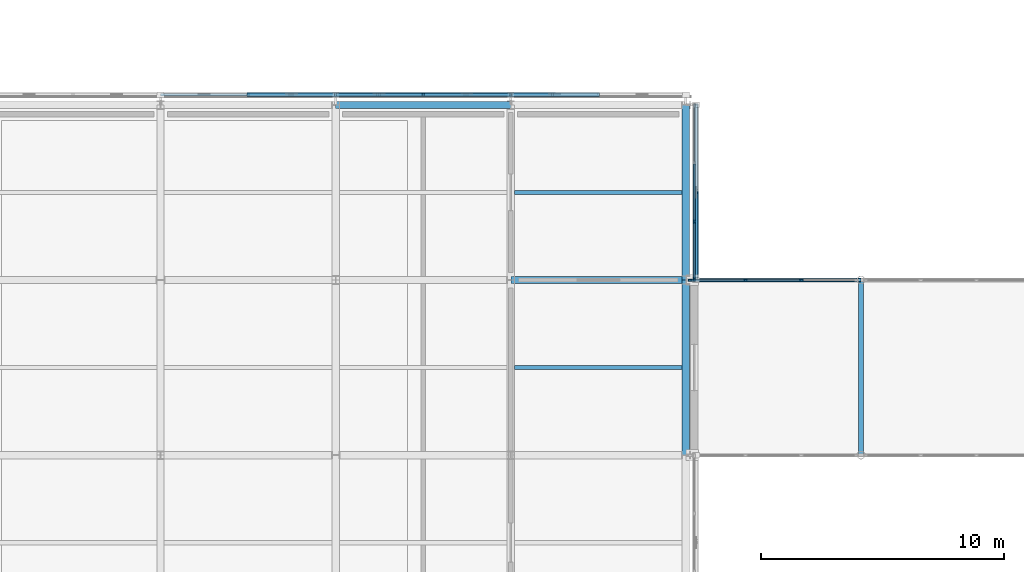
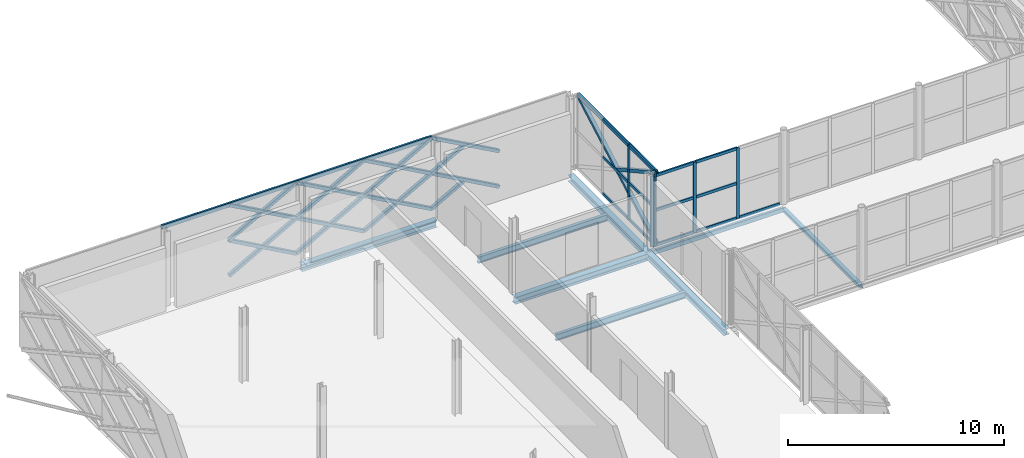
# One storey, part 55 of 146: 45 members, 8 beams, 2 elements without a shape of their own.
"""IFC4 building model written with IfcOpenShell, lengths in metres."""

from ifc_helpers import new_model, si_unit, direction, frame, origin, origin_2d, place, context, subcontext, project, spatial, rectangle, hollow_rectangle, i_section, extrude, material, material_profile, profile_set, type_object, element, aggregate, save


model = new_model("IFC4")

# Units and contexts
model_context = context("Model", 3, precision=1e-05, world=origin(), true_north=direction((0.0, 1.0)))
body_context = subcontext(model_context, "Body", "Model", "MODEL_VIEW")
ifc_project = project(units=[si_unit("LENGTHUNIT", "METRE"), si_unit("AREAUNIT", "SQUARE_METRE"), si_unit("VOLUMEUNIT", "CUBIC_METRE"), si_unit("PLANEANGLEUNIT", "RADIAN"), si_unit("MASSUNIT", "GRAM", prefix="KILO")], contexts=[model_context])

# Site, building, storey
site_placement = place(None, origin())
site = spatial("IfcSite", under=ifc_project, at=site_placement, CompositionType="ELEMENT")
building_placement = place(site_placement, origin())
building = spatial("IfcBuilding", under=site, at=building_placement, Name="Zlatovets Crest Museum", CompositionType="ELEMENT")
storey_placement = place(building_placement, frame((0.0, 0.0, 4.5)))
storey = spatial("IfcBuildingStorey", under=building, at=storey_placement, Name="L01", CompositionType="ELEMENT", Elevation=4.5)

# Beams
ifc_material_1 = material(Name="Structural steel S355J2", Category="steel")
ifc_material_profile_1 = material_profile(ifc_material_1, i_section(OverallWidth=0.300048828125, OverallDepth=0.389892578125, WebThickness=0.010986328125, FlangeThickness=0.01904296875, FilletRadius=0.027099609375, at=origin_2d()), Name="HEA 400")
ifc_profile_set_1 = profile_set([ifc_material_profile_1], Name="Structural steel S355J2")
beam_type_1 = type_object("IfcBeamType", Name="Beam_B-02", PredefinedType="BEAM", material=ifc_profile_set_1)
for number, where, z_axis, x_axis, name in (
    (1, (28.800048828125, 93.60009765625, -0.4150390625), (1.0, 0.0, 0.0), (0.0, 1.0, 0.0), "V4 L01 Primary Girder B-02"),
    (2, (21.60009765625, 100.800048828125, -0.4150390625), (1.0, 0.0, 0.0), (0.0, 1.0, 0.0), "V4 L01 Primary Girder B-02"),
):
    element("IfcBeam", number, at=place(storey_placement, frame(where, z_axis=z_axis, x_axis=x_axis)), inside=storey, type_object=beam_type_1, Name=name, PredefinedType="BEAM", context=body_context, shape_type="SweptSolid", body=[
        extrude(i_section(OverallWidth=0.300048828125, OverallDepth=0.389892578125, WebThickness=0.010986328125, FlangeThickness=0.01904296875, FilletRadius=0.027099609375, at=origin_2d()), origin(), (0.0, 0.0, 1.0), 7.199951171875),
    ])
ifc_material_profile_2 = material_profile(ifc_material_1, i_section(OverallWidth=0.300048828125, OverallDepth=0.35009765625, WebThickness=0.010009765625, FlangeThickness=0.017578125, FilletRadius=0.027099609375, at=origin_2d()), Name="HEA 360")
ifc_profile_set_2 = profile_set([ifc_material_profile_2], Name="Structural steel S355J2")
beam_type_2 = type_object("IfcBeamType", Name="Beam_B-03", PredefinedType="BEAM", material=ifc_profile_set_2)
beam_1_placement = place(storey_placement, frame((36.0, 86.39990234375, -0.39501953125), z_axis=(0.0, 1.0, 0.0), x_axis=(-1.0, 0.0, 0.0)))
element("IfcBeam", 3, at=beam_1_placement, inside=storey, type_object=beam_type_2, Name="V4 L01 Grid Beam B-03", PredefinedType="BEAM", context=body_context, shape_type="SweptSolid", body=[
    extrude(i_section(OverallWidth=0.300048828125, OverallDepth=0.35009765625, WebThickness=0.010009765625, FlangeThickness=0.017578125, FilletRadius=0.027099609375, at=origin_2d()), origin(), (0.0, 0.0, 1.0), 7.2001953125),
])
beam_2_placement = place(storey_placement, frame((36.0, 93.60009765625, -0.39501953125), z_axis=(0.0, 1.0, 0.0), x_axis=(-1.0, 0.0, 0.0)))
element("IfcBeam", 4, at=beam_2_placement, inside=storey, type_object=beam_type_2, Name="V4 L01 Grid Beam B-03", PredefinedType="BEAM", context=body_context, shape_type="SweptSolid", body=[
    extrude(i_section(OverallWidth=0.300048828125, OverallDepth=0.35009765625, WebThickness=0.010009765625, FlangeThickness=0.017578125, FilletRadius=0.027099609375, at=origin_2d()), origin(), (0.0, 0.0, 1.0), 7.199951171875),
])
ifc_material_profile_3 = material_profile(ifc_material_1, i_section(OverallWidth=0.199951171875, OverallDepth=0.18994140625, WebThickness=0.006591796875, FlangeThickness=0.010009765625, FilletRadius=0.01806640625, at=origin_2d()), Name="HEA 200")
ifc_profile_set_3 = profile_set([ifc_material_profile_3], Name="Structural steel S355J2")
beam_type_3 = type_object("IfcBeamType", Name="Beam_B-15", PredefinedType="BEAM", material=ifc_profile_set_3)
beam_3_placement = place(storey_placement, frame((43.199951171875, 86.39990234375, -0.344970703125), z_axis=(0.0, 1.0, 0.0), x_axis=(-1.0, 0.0, 0.0)))
element("IfcBeam", 5, at=beam_3_placement, inside=storey, type_object=beam_type_3, Name="Northwest Crest Glazed Link Bridge L01 Cross Beam", PredefinedType="BEAM", context=body_context, shape_type="SweptSolid", body=[
    extrude(i_section(OverallWidth=0.199951171875, OverallDepth=0.18994140625, WebThickness=0.006591796875, FlangeThickness=0.010009765625, FilletRadius=0.01806640625, at=origin_2d()), origin(), (0.0, 0.0, 1.0), 7.2001953125),
])
ifc_material_profile_4 = material_profile(ifc_material_1, hollow_rectangle(XDim=0.14990234375, YDim=0.25, WallThickness=0.010009765625, InnerFilletRadius=0.010009765625, OuterFilletRadius=0.02001953125, at=origin_2d()), Name="RHS 150x250x10.0")
ifc_profile_set_4 = profile_set([ifc_material_profile_4], Name="Structural steel S355J2")
beam_type_4 = type_object("IfcBeamType", Name="Beam_BRG-03", PredefinedType="BEAM", material=ifc_profile_set_4)
beam_4_placement = place(storey_placement, frame((36.0, 93.60009765625, -0.344970703125), z_axis=(1.0, 0.0, 0.0), x_axis=(0.0, 1.0, 0.0)))
element("IfcBeam", 6, at=beam_4_placement, inside=storey, type_object=beam_type_4, Name="Northwest Crest Glazed Link Bridge L01 Stringer Beam", PredefinedType="BEAM", context=body_context, shape_type="SweptSolid", body=[
    extrude(hollow_rectangle(XDim=0.14990234375, YDim=0.25, WallThickness=0.010009765625, InnerFilletRadius=0.010009765625, OuterFilletRadius=0.02001953125, at=origin_2d()), origin(), (0.0, 0.0, 1.0), 7.199951171875),
])
ifc_material_profile_5 = material_profile(ifc_material_1, i_section(OverallWidth=0.169921875, OverallDepth=0.360107421875, WebThickness=0.008056640625, FlangeThickness=0.0126953125, FilletRadius=0.01806640625, at=origin_2d()), Name="IPE 360")
ifc_profile_set_5 = profile_set([ifc_material_profile_5], Name="Structural steel S355J2")
beam_type_5 = type_object("IfcBeamType", Name="Beam_J-01", PredefinedType="JOIST", material=ifc_profile_set_5)
for number, where, z_axis, x_axis, name in (
    (7, (28.949951171875, 90.0, -0.39990234375), (1.0, 0.0, 0.0), (0.0, 1.0, 0.0), "V4 L01 Composite Joist J-01"),
    (8, (28.949951171875, 97.199951171875, -0.39990234375), (1.0, 0.0, 0.0), (0.0, 1.0, 0.0), "V4 L01 Composite Joist J-01"),
):
    element("IfcBeam", number, at=place(storey_placement, frame(where, z_axis=z_axis, x_axis=x_axis)), inside=storey, type_object=beam_type_5, Name=name, PredefinedType="JOIST", context=body_context, shape_type="SweptSolid", body=[
        extrude(i_section(OverallWidth=0.169921875, OverallDepth=0.360107421875, WebThickness=0.008056640625, FlangeThickness=0.0126953125, FilletRadius=0.01806640625, at=origin_2d()), origin(), (0.0, 0.0, 1.0), 6.900146484375),
    ])

# Curtain wall, members
ifc_material_2 = material(Name="Bronze-anodised aluminium and low-E triple glass", Category="aluminium")
curtain_wall_type_1 = type_object("IfcCurtainWallType", Name="CW_CW-V4-L01-M2", PredefinedType="NOTDEFINED", material=ifc_material_2)
curtain_wall_1_placement = place(storey_placement, origin())
curtain_wall_1 = element("IfcCurtainWall", 9, at=curtain_wall_1_placement, inside=storey, type_object=curtain_wall_type_1, Name="V4 L01 Secession Foyer Clear Curtain Wall", PredefinedType="NOTDEFINED")
ifc_material_3 = material(Name="Bronze-anodised aluminium EN AW-6060", Category="aluminium")
ifc_material_profile_6 = material_profile(ifc_material_3, rectangle(XDim=0.080078125, YDim=0.159912109375, at=origin_2d()), Name="ALU 80x160")
ifc_profile_set_6 = profile_set([ifc_material_profile_6], Name="Bronze-anodised aluminium EN AW-6060")
member_type_1 = type_object("IfcMemberType", Name="CWMull_M1", PredefinedType="MULLION", material=ifc_profile_set_6)
member_1_placement = place(storey_placement, frame((36.340087890625, 93.6298828125, 0.0), z_axis=(0.0, 0.0, 1.0), x_axis=(-1.0, 0.0, 0.0)))
member_1 = element("IfcMember", 10, at=member_1_placement, type_object=member_type_1, Name="CW-V4-L01-M2 mullion 1", PredefinedType="MULLION", context=body_context, shape_type="SweptSolid", body=[
    extrude(rectangle(XDim=0.080078125, YDim=0.159912109375, at=origin_2d()), origin(), (0.0, 0.0, 1.0), 4.199951171875),
])
member_2_placement = place(storey_placement, frame((36.340087890625, 96.0, 0.0), z_axis=(0.0, 0.0, 1.0), x_axis=(-1.0, 0.0, 0.0)))
member_2 = element("IfcMember", 11, at=member_2_placement, type_object=member_type_1, Name="CW-V4-L01-M2 mullion 2", PredefinedType="MULLION", context=body_context, shape_type="SweptSolid", body=[
    extrude(rectangle(XDim=0.080078125, YDim=0.159912109375, at=origin_2d()), origin(), (0.0, 0.0, 1.0), 4.199951171875),
])

curtain_wall_type_2 = type_object("IfcCurtainWallType", Name="CW_CW-BR3-L01-S69", PredefinedType="NOTDEFINED", material=ifc_material_2)
curtain_wall_2_placement = place(storey_placement, origin())
curtain_wall_2 = element("IfcCurtainWall", 12, at=curtain_wall_2_placement, inside=storey, type_object=curtain_wall_type_2, Name="Northwest Crest Glazed Link Bridge L01 Glazed Bridge Curtain Wall", PredefinedType="NOTDEFINED")
member_3_placement = place(storey_placement, frame((36.179931640625, 93.60009765625, 0.0), z_axis=(0.0, 0.0, 1.0), x_axis=(0.0, 1.0, 0.0)))
member_3 = element("IfcMember", 13, at=member_3_placement, type_object=member_type_1, Name="CW-BR3-L01-S69 mullion 1", PredefinedType="MULLION", context=body_context, shape_type="SweptSolid", body=[
    extrude(rectangle(XDim=0.080078125, YDim=0.159912109375, at=origin_2d()), origin(), (0.0, 0.0, 1.0), 3.97998046875),
])
member_4_placement = place(storey_placement, frame((38.449951171875, 93.60009765625, 0.0), z_axis=(0.0, 0.0, 1.0), x_axis=(0.0, 1.0, 0.0)))
member_4 = element("IfcMember", 14, at=member_4_placement, type_object=member_type_1, Name="CW-BR3-L01-S69 mullion 2", PredefinedType="MULLION", context=body_context, shape_type="SweptSolid", body=[
    extrude(rectangle(XDim=0.080078125, YDim=0.159912109375, at=origin_2d()), origin(), (0.0, 0.0, 1.0), 3.97998046875),
])
member_5_placement = place(storey_placement, frame((40.75, 93.60009765625, 0.0), z_axis=(0.0, 0.0, 1.0), x_axis=(0.0, 1.0, 0.0)))
member_5 = element("IfcMember", 15, at=member_5_placement, type_object=member_type_1, Name="CW-BR3-L01-S69 mullion 3", PredefinedType="MULLION", context=body_context, shape_type="SweptSolid", body=[
    extrude(rectangle(XDim=0.080078125, YDim=0.159912109375, at=origin_2d()), origin(), (0.0, 0.0, 1.0), 3.97998046875),
])

# Member
ifc_material_profile_7 = material_profile(ifc_material_3, rectangle(XDim=0.080078125, YDim=0.159912109375, at=origin_2d()), Name="ALU 80x160")
ifc_profile_set_7 = profile_set([ifc_material_profile_7], Name="Bronze-anodised aluminium EN AW-6060")
member_type_2 = type_object("IfcMemberType", Name="CWTrans_T1", PredefinedType="USERDEFINED", material=ifc_profile_set_7)
member_6_placement = place(storey_placement, frame((36.340087890625, 93.659912109375, 0.030029296875), z_axis=(0.0, 1.0, 0.0), x_axis=(-1.0, 0.0, 0.0)))
member_6 = element("IfcMember", 16, at=member_6_placement, type_object=member_type_2, Name="CW-V4-L01-M2 transom 1.1", ObjectType="TRANSOM", PredefinedType="USERDEFINED", context=body_context, shape_type="SweptSolid", body=[
    extrude(rectangle(XDim=0.080078125, YDim=0.159912109375, at=origin_2d()), origin(), (0.0, 0.0, 1.0), 2.31005859375),
])

member_7_placement = place(storey_placement, frame((36.340087890625, 93.659912109375, 2.10009765625), z_axis=(0.0, 1.0, 0.0), x_axis=(-1.0, 0.0, 0.0)))
member_7 = element("IfcMember", 17, at=member_7_placement, type_object=member_type_2, Name="CW-V4-L01-M2 transom 1.2", ObjectType="TRANSOM", PredefinedType="USERDEFINED", context=body_context, shape_type="SweptSolid", body=[
    extrude(rectangle(XDim=0.080078125, YDim=0.159912109375, at=origin_2d()), origin(), (0.0, 0.0, 1.0), 2.31005859375),
])

member_8_placement = place(storey_placement, frame((36.340087890625, 93.659912109375, 4.169921875), z_axis=(0.0, 1.0, 0.0), x_axis=(-1.0, 0.0, 0.0)))
member_8 = element("IfcMember", 18, at=member_8_placement, type_object=member_type_2, Name="CW-V4-L01-M2 transom 1.3", ObjectType="TRANSOM", PredefinedType="USERDEFINED", context=body_context, shape_type="SweptSolid", body=[
    extrude(rectangle(XDim=0.080078125, YDim=0.159912109375, at=origin_2d()), origin(), (0.0, 0.0, 1.0), 2.31005859375),
])

member_9_placement = place(storey_placement, frame((36.340087890625, 96.030029296875, 0.030029296875), z_axis=(0.0, 1.0, 0.0), x_axis=(-1.0, 0.0, 0.0)))
member_9 = element("IfcMember", 19, at=member_9_placement, type_object=member_type_2, Name="CW-V4-L01-M2 transom 2.1", ObjectType="TRANSOM", PredefinedType="USERDEFINED", context=body_context, shape_type="SweptSolid", body=[
    extrude(rectangle(XDim=0.080078125, YDim=0.159912109375, at=origin_2d()), origin(), (0.0, 0.0, 1.0), 2.340087890625),
])

member_10_placement = place(storey_placement, frame((36.340087890625, 96.030029296875, 2.10009765625), z_axis=(0.0, 1.0, 0.0), x_axis=(-1.0, 0.0, 0.0)))
member_10 = element("IfcMember", 20, at=member_10_placement, type_object=member_type_2, Name="CW-V4-L01-M2 transom 2.2", ObjectType="TRANSOM", PredefinedType="USERDEFINED", context=body_context, shape_type="SweptSolid", body=[
    extrude(rectangle(XDim=0.080078125, YDim=0.159912109375, at=origin_2d()), origin(), (0.0, 0.0, 1.0), 2.340087890625),
])

member_11_placement = place(storey_placement, frame((36.340087890625, 96.030029296875, 4.169921875), z_axis=(0.0, 1.0, 0.0), x_axis=(-1.0, 0.0, 0.0)))
member_11 = element("IfcMember", 21, at=member_11_placement, type_object=member_type_2, Name="CW-V4-L01-M2 transom 2.3", ObjectType="TRANSOM", PredefinedType="USERDEFINED", context=body_context, shape_type="SweptSolid", body=[
    extrude(rectangle(XDim=0.080078125, YDim=0.159912109375, at=origin_2d()), origin(), (0.0, 0.0, 1.0), 2.340087890625),
])

aggregate(curtain_wall_1, [member_1, member_2, member_6, member_7, member_8, member_9, member_10, member_11])

member_12_placement = place(storey_placement, frame((36.2099609375, 93.60009765625, 0.030029296875), z_axis=(1.0, 0.0, 0.0), x_axis=(0.0, 1.0, 0.0)))
member_12 = element("IfcMember", 22, at=member_12_placement, type_object=member_type_2, Name="CW-BR3-L01-S69 transom 1.1", ObjectType="TRANSOM", PredefinedType="USERDEFINED", context=body_context, shape_type="SweptSolid", body=[
    extrude(rectangle(XDim=0.080078125, YDim=0.159912109375, at=origin_2d()), origin(), (0.0, 0.0, 1.0), 2.2099609375),
])

member_13_placement = place(storey_placement, frame((36.2099609375, 93.60009765625, 1.989990234375), z_axis=(1.0, 0.0, 0.0), x_axis=(0.0, 1.0, 0.0)))
member_13 = element("IfcMember", 23, at=member_13_placement, type_object=member_type_2, Name="CW-BR3-L01-S69 transom 1.2", ObjectType="TRANSOM", PredefinedType="USERDEFINED", context=body_context, shape_type="SweptSolid", body=[
    extrude(rectangle(XDim=0.080078125, YDim=0.159912109375, at=origin_2d()), origin(), (0.0, 0.0, 1.0), 2.2099609375),
])

member_14_placement = place(storey_placement, frame((36.2099609375, 93.60009765625, 3.949951171875), z_axis=(1.0, 0.0, 0.0), x_axis=(0.0, 1.0, 0.0)))
member_14 = element("IfcMember", 24, at=member_14_placement, type_object=member_type_2, Name="CW-BR3-L01-S69 transom 1.3", ObjectType="TRANSOM", PredefinedType="USERDEFINED", context=body_context, shape_type="SweptSolid", body=[
    extrude(rectangle(XDim=0.080078125, YDim=0.159912109375, at=origin_2d()), origin(), (0.0, 0.0, 1.0), 2.2099609375),
])

member_15_placement = place(storey_placement, frame((38.47998046875, 93.60009765625, 0.030029296875), z_axis=(1.0, 0.0, 0.0), x_axis=(0.0, 1.0, 0.0)))
member_15 = element("IfcMember", 25, at=member_15_placement, type_object=member_type_2, Name="CW-BR3-L01-S69 transom 2.1", ObjectType="TRANSOM", PredefinedType="USERDEFINED", context=body_context, shape_type="SweptSolid", body=[
    extrude(rectangle(XDim=0.080078125, YDim=0.159912109375, at=origin_2d()), origin(), (0.0, 0.0, 1.0), 2.239990234375),
])

member_16_placement = place(storey_placement, frame((38.47998046875, 93.60009765625, 1.989990234375), z_axis=(1.0, 0.0, 0.0), x_axis=(0.0, 1.0, 0.0)))
member_16 = element("IfcMember", 26, at=member_16_placement, type_object=member_type_2, Name="CW-BR3-L01-S69 transom 2.2", ObjectType="TRANSOM", PredefinedType="USERDEFINED", context=body_context, shape_type="SweptSolid", body=[
    extrude(rectangle(XDim=0.080078125, YDim=0.159912109375, at=origin_2d()), origin(), (0.0, 0.0, 1.0), 2.239990234375),
])

member_17_placement = place(storey_placement, frame((38.47998046875, 93.60009765625, 3.949951171875), z_axis=(1.0, 0.0, 0.0), x_axis=(0.0, 1.0, 0.0)))
member_17 = element("IfcMember", 27, at=member_17_placement, type_object=member_type_2, Name="CW-BR3-L01-S69 transom 2.3", ObjectType="TRANSOM", PredefinedType="USERDEFINED", context=body_context, shape_type="SweptSolid", body=[
    extrude(rectangle(XDim=0.080078125, YDim=0.159912109375, at=origin_2d()), origin(), (0.0, 0.0, 1.0), 2.239990234375),
])

member_18_placement = place(storey_placement, frame((40.780029296875, 93.60009765625, 0.030029296875), z_axis=(1.0, 0.0, 0.0), x_axis=(0.0, 1.0, 0.0)))
member_18 = element("IfcMember", 28, at=member_18_placement, type_object=member_type_2, Name="CW-BR3-L01-S69 transom 3.1", ObjectType="TRANSOM", PredefinedType="USERDEFINED", context=body_context, shape_type="SweptSolid", body=[
    extrude(rectangle(XDim=0.080078125, YDim=0.159912109375, at=origin_2d()), origin(), (0.0, 0.0, 1.0), 2.2099609375),
])

aggregate(curtain_wall_2, [member_3, member_4, member_5, member_12, member_13, member_14, member_15, member_16, member_17, member_18])

# Members
ifc_material_4 = material(Name="Weathering bronze-steel S355J2W", Category="steel")
ifc_material_profile_8 = material_profile(ifc_material_4, hollow_rectangle(XDim=0.179931640625, YDim=0.179931640625, WallThickness=0.010009765625, InnerFilletRadius=0.010009765625, OuterFilletRadius=0.02001953125, at=origin_2d()), Name="SHS 180x180x10.0")
ifc_profile_set_8 = profile_set([ifc_material_profile_8], Name="Weathering bronze-steel S355J2W")
member_type_3 = type_object("IfcMemberType", Name="Lattice_XL-01", PredefinedType="BRACE", material=ifc_profile_set_8)
member_19_placement = place(storey_placement, frame((32.39990234375, 101.219970703125, 0.10009765625), z_axis=(-0.874148886685, 0.0, 0.485658031857), x_axis=(0.0, -1.0, 0.0)))
element("IfcMember", 29, at=member_19_placement, inside=storey, type_object=member_type_3, Name="Continuous Bronze Lattice Diagonal", PredefinedType="BRACE", context=body_context, shape_type="SweptSolid", body=[
    extrude(hollow_rectangle(XDim=0.179931640625, YDim=0.179931640625, WallThickness=0.010009765625, InnerFilletRadius=0.010009765625, OuterFilletRadius=0.02001953125, at=origin_2d()), origin(), (0.0, 0.0, 1.0), 4.1181640625),
])
member_20_placement = place(storey_placement, frame((30.51708984375, 101.219970703125, 1.053955078125), z_axis=(-0.874169001841, 0.0, -0.485621824284), x_axis=(0.0, -1.0, 0.0)))
element("IfcMember", 30, at=member_20_placement, inside=storey, type_object=member_type_3, Name="Split Crossing Bronze Lattice Diagonal Lower", PredefinedType="BRACE", context=body_context, shape_type="SweptSolid", body=[
    extrude(hollow_rectangle(XDim=0.179931640625, YDim=0.179931640625, WallThickness=0.010009765625, InnerFilletRadius=0.010009765625, OuterFilletRadius=0.02001953125, at=origin_2d()), origin(), (0.0, 0.0, 1.0), 1.964111328125),
])
member_21_placement = place(storey_placement, frame((32.39990234375, 101.219970703125, 2.10009765625), z_axis=(-0.874148886685, 0.0, 0.485658031857), x_axis=(0.0, -1.0, 0.0)))
element("IfcMember", 31, at=member_21_placement, inside=storey, type_object=member_type_3, Name="Continuous Bronze Lattice Diagonal", PredefinedType="BRACE", context=body_context, shape_type="SweptSolid", body=[
    extrude(hollow_rectangle(XDim=0.179931640625, YDim=0.179931640625, WallThickness=0.010009765625, InnerFilletRadius=0.010009765625, OuterFilletRadius=0.02001953125, at=origin_2d()), origin(), (0.0, 0.0, 1.0), 4.1181640625),
])
member_22_placement = place(storey_placement, frame((30.51708984375, 101.219970703125, 3.053955078125), z_axis=(-0.874169001841, 0.0, -0.485621824284), x_axis=(0.0, -1.0, 0.0)))
element("IfcMember", 32, at=member_22_placement, inside=storey, type_object=member_type_3, Name="Split Crossing Bronze Lattice Diagonal Lower", PredefinedType="BRACE", context=body_context, shape_type="SweptSolid", body=[
    extrude(hollow_rectangle(XDim=0.179931640625, YDim=0.179931640625, WallThickness=0.010009765625, InnerFilletRadius=0.010009765625, OuterFilletRadius=0.02001953125, at=origin_2d()), origin(), (0.0, 0.0, 1.0), 1.964111328125),
])
member_23_placement = place(storey_placement, frame((28.800048828125, 101.219970703125, 0.10009765625), z_axis=(-0.874162868644, 0.0, 0.485632864501), x_axis=(0.0, -1.0, 0.0)))
element("IfcMember", 33, at=member_23_placement, inside=storey, type_object=member_type_3, Name="Continuous Bronze Lattice Diagonal", PredefinedType="BRACE", context=body_context, shape_type="SweptSolid", body=[
    extrude(hollow_rectangle(XDim=0.179931640625, YDim=0.179931640625, WallThickness=0.010009765625, InnerFilletRadius=0.010009765625, OuterFilletRadius=0.02001953125, at=origin_2d()), origin(), (0.0, 0.0, 1.0), 4.118408203125),
])
member_24_placement = place(storey_placement, frame((28.800048828125, 101.219970703125, 2.10009765625), z_axis=(-0.874116234569, 0.0, -0.48571679862), x_axis=(0.0, -1.0, 0.0)))
element("IfcMember", 34, at=member_24_placement, inside=storey, type_object=member_type_3, Name="Split Crossing Bronze Lattice Diagonal Upper", PredefinedType="BRACE", context=body_context, shape_type="SweptSolid", body=[
    extrude(hollow_rectangle(XDim=0.179931640625, YDim=0.179931640625, WallThickness=0.010009765625, InnerFilletRadius=0.010009765625, OuterFilletRadius=0.02001953125, at=origin_2d()), origin(), (0.0, 0.0, 1.0), 1.96435546875),
])
member_25_placement = place(storey_placement, frame((26.9169921875, 101.219970703125, 1.053955078125), z_axis=(-0.874169001841, 0.0, -0.485621824284), x_axis=(0.0, -1.0, 0.0)))
element("IfcMember", 35, at=member_25_placement, inside=storey, type_object=member_type_3, Name="Split Crossing Bronze Lattice Diagonal Lower", PredefinedType="BRACE", context=body_context, shape_type="SweptSolid", body=[
    extrude(hollow_rectangle(XDim=0.179931640625, YDim=0.179931640625, WallThickness=0.010009765625, InnerFilletRadius=0.010009765625, OuterFilletRadius=0.02001953125, at=origin_2d()), origin(), (0.0, 0.0, 1.0), 1.964111328125),
])
member_26_placement = place(storey_placement, frame((25.199951171875, 101.219970703125, 0.10009765625), z_axis=(-0.874148886685, 0.0, 0.485658031857), x_axis=(0.0, -1.0, 0.0)))
element("IfcMember", 36, at=member_26_placement, inside=storey, type_object=member_type_3, Name="Continuous Bronze Lattice Diagonal", PredefinedType="BRACE", context=body_context, shape_type="SweptSolid", body=[
    extrude(hollow_rectangle(XDim=0.179931640625, YDim=0.179931640625, WallThickness=0.010009765625, InnerFilletRadius=0.010009765625, OuterFilletRadius=0.02001953125, at=origin_2d()), origin(), (0.0, 0.0, 1.0), 4.1181640625),
])
member_27_placement = place(storey_placement, frame((25.199951171875, 101.219970703125, 2.10009765625), z_axis=(-0.874116234569, 0.0, -0.48571679862), x_axis=(0.0, -1.0, 0.0)))
element("IfcMember", 37, at=member_27_placement, inside=storey, type_object=member_type_3, Name="Split Crossing Bronze Lattice Diagonal Upper", PredefinedType="BRACE", context=body_context, shape_type="SweptSolid", body=[
    extrude(hollow_rectangle(XDim=0.179931640625, YDim=0.179931640625, WallThickness=0.010009765625, InnerFilletRadius=0.010009765625, OuterFilletRadius=0.02001953125, at=origin_2d()), origin(), (0.0, 0.0, 1.0), 1.96435546875),
])
member_28_placement = place(storey_placement, frame((23.31689453125, 101.219970703125, 1.053955078125), z_axis=(-0.874139684676, 0.0, -0.48567459443), x_axis=(0.0, -1.0, 0.0)))
element("IfcMember", 38, at=member_28_placement, inside=storey, type_object=member_type_3, Name="Split Crossing Bronze Lattice Diagonal Lower", PredefinedType="BRACE", context=body_context, shape_type="SweptSolid", body=[
    extrude(hollow_rectangle(XDim=0.179931640625, YDim=0.179931640625, WallThickness=0.010009765625, InnerFilletRadius=0.010009765625, OuterFilletRadius=0.02001953125, at=origin_2d()), origin(), (0.0, 0.0, 1.0), 1.9638671875),
])
member_29_placement = place(storey_placement, frame((28.800048828125, 101.219970703125, 2.10009765625), z_axis=(-0.874162868644, 0.0, 0.485632864501), x_axis=(0.0, -1.0, 0.0)))
element("IfcMember", 39, at=member_29_placement, inside=storey, type_object=member_type_3, Name="Continuous Bronze Lattice Diagonal", PredefinedType="BRACE", context=body_context, shape_type="SweptSolid", body=[
    extrude(hollow_rectangle(XDim=0.179931640625, YDim=0.179931640625, WallThickness=0.010009765625, InnerFilletRadius=0.010009765625, OuterFilletRadius=0.02001953125, at=origin_2d()), origin(), (0.0, 0.0, 1.0), 4.118408203125),
])
member_30_placement = place(storey_placement, frame((28.800048828125, 101.219970703125, 4.10009765625), z_axis=(-0.874116234569, 0.0, -0.48571679862), x_axis=(0.0, -1.0, 0.0)))
element("IfcMember", 40, at=member_30_placement, inside=storey, type_object=member_type_3, Name="Split Crossing Bronze Lattice Diagonal Upper", PredefinedType="BRACE", context=body_context, shape_type="SweptSolid", body=[
    extrude(hollow_rectangle(XDim=0.179931640625, YDim=0.179931640625, WallThickness=0.010009765625, InnerFilletRadius=0.010009765625, OuterFilletRadius=0.02001953125, at=origin_2d()), origin(), (0.0, 0.0, 1.0), 1.96435546875),
])
member_31_placement = place(storey_placement, frame((26.9169921875, 101.219970703125, 3.053955078125), z_axis=(-0.874169001841, 0.0, -0.485621824284), x_axis=(0.0, -1.0, 0.0)))
element("IfcMember", 41, at=member_31_placement, inside=storey, type_object=member_type_3, Name="Split Crossing Bronze Lattice Diagonal Lower", PredefinedType="BRACE", context=body_context, shape_type="SweptSolid", body=[
    extrude(hollow_rectangle(XDim=0.179931640625, YDim=0.179931640625, WallThickness=0.010009765625, InnerFilletRadius=0.010009765625, OuterFilletRadius=0.02001953125, at=origin_2d()), origin(), (0.0, 0.0, 1.0), 1.964111328125),
])
member_32_placement = place(storey_placement, frame((25.199951171875, 101.219970703125, 2.10009765625), z_axis=(-0.874148886685, 0.0, 0.485658031857), x_axis=(0.0, -1.0, 0.0)))
element("IfcMember", 42, at=member_32_placement, inside=storey, type_object=member_type_3, Name="Continuous Bronze Lattice Diagonal", PredefinedType="BRACE", context=body_context, shape_type="SweptSolid", body=[
    extrude(hollow_rectangle(XDim=0.179931640625, YDim=0.179931640625, WallThickness=0.010009765625, InnerFilletRadius=0.010009765625, OuterFilletRadius=0.02001953125, at=origin_2d()), origin(), (0.0, 0.0, 1.0), 4.1181640625),
])
member_33_placement = place(storey_placement, frame((25.199951171875, 101.219970703125, 4.10009765625), z_axis=(-0.874116234569, 0.0, -0.48571679862), x_axis=(0.0, -1.0, 0.0)))
element("IfcMember", 43, at=member_33_placement, inside=storey, type_object=member_type_3, Name="Split Crossing Bronze Lattice Diagonal Upper", PredefinedType="BRACE", context=body_context, shape_type="SweptSolid", body=[
    extrude(hollow_rectangle(XDim=0.179931640625, YDim=0.179931640625, WallThickness=0.010009765625, InnerFilletRadius=0.010009765625, OuterFilletRadius=0.02001953125, at=origin_2d()), origin(), (0.0, 0.0, 1.0), 1.96435546875),
])
member_34_placement = place(storey_placement, frame((23.31689453125, 101.219970703125, 3.053955078125), z_axis=(-0.874139684676, 0.0, -0.48567459443), x_axis=(0.0, -1.0, 0.0)))
element("IfcMember", 44, at=member_34_placement, inside=storey, type_object=member_type_3, Name="Split Crossing Bronze Lattice Diagonal Lower", PredefinedType="BRACE", context=body_context, shape_type="SweptSolid", body=[
    extrude(hollow_rectangle(XDim=0.179931640625, YDim=0.179931640625, WallThickness=0.010009765625, InnerFilletRadius=0.010009765625, OuterFilletRadius=0.02001953125, at=origin_2d()), origin(), (0.0, 0.0, 1.0), 1.9638671875),
])
member_35_placement = place(storey_placement, frame((21.60009765625, 101.219970703125, 0.10009765625), z_axis=(-0.874162868644, 0.0, 0.485632864501), x_axis=(0.0, -1.0, 0.0)))
element("IfcMember", 45, at=member_35_placement, inside=storey, type_object=member_type_3, Name="Continuous Bronze Lattice Diagonal", PredefinedType="BRACE", context=body_context, shape_type="SweptSolid", body=[
    extrude(hollow_rectangle(XDim=0.179931640625, YDim=0.179931640625, WallThickness=0.010009765625, InnerFilletRadius=0.010009765625, OuterFilletRadius=0.02001953125, at=origin_2d()), origin(), (0.0, 0.0, 1.0), 4.118408203125),
])
member_36_placement = place(storey_placement, frame((21.60009765625, 101.219970703125, 2.10009765625), z_axis=(-0.874116234569, 0.0, -0.48571679862), x_axis=(0.0, -1.0, 0.0)))
element("IfcMember", 46, at=member_36_placement, inside=storey, type_object=member_type_3, Name="Split Crossing Bronze Lattice Diagonal Upper", PredefinedType="BRACE", context=body_context, shape_type="SweptSolid", body=[
    extrude(hollow_rectangle(XDim=0.179931640625, YDim=0.179931640625, WallThickness=0.010009765625, InnerFilletRadius=0.010009765625, OuterFilletRadius=0.02001953125, at=origin_2d()), origin(), (0.0, 0.0, 1.0), 1.96435546875),
])
member_37_placement = place(storey_placement, frame((19.717041015625, 101.219970703125, 1.053955078125), z_axis=(-0.874169001841, 0.0, -0.485621824284), x_axis=(0.0, -1.0, 0.0)))
element("IfcMember", 47, at=member_37_placement, inside=storey, type_object=member_type_3, Name="Split Crossing Bronze Lattice Diagonal Lower", PredefinedType="BRACE", context=body_context, shape_type="SweptSolid", body=[
    extrude(hollow_rectangle(XDim=0.179931640625, YDim=0.179931640625, WallThickness=0.010009765625, InnerFilletRadius=0.010009765625, OuterFilletRadius=0.02001953125, at=origin_2d()), origin(), (0.0, 0.0, 1.0), 1.964111328125),
])
member_38_placement = place(storey_placement, frame((21.60009765625, 101.219970703125, 2.10009765625), z_axis=(-0.874162868644, 0.0, 0.485632864501), x_axis=(0.0, -1.0, 0.0)))
element("IfcMember", 48, at=member_38_placement, inside=storey, type_object=member_type_3, Name="Continuous Bronze Lattice Diagonal", PredefinedType="BRACE", context=body_context, shape_type="SweptSolid", body=[
    extrude(hollow_rectangle(XDim=0.179931640625, YDim=0.179931640625, WallThickness=0.010009765625, InnerFilletRadius=0.010009765625, OuterFilletRadius=0.02001953125, at=origin_2d()), origin(), (0.0, 0.0, 1.0), 4.118408203125),
])
member_39_placement = place(storey_placement, frame((21.60009765625, 101.219970703125, 4.10009765625), z_axis=(-0.874116234569, 0.0, -0.48571679862), x_axis=(0.0, -1.0, 0.0)))
element("IfcMember", 49, at=member_39_placement, inside=storey, type_object=member_type_3, Name="Split Crossing Bronze Lattice Diagonal Upper", PredefinedType="BRACE", context=body_context, shape_type="SweptSolid", body=[
    extrude(hollow_rectangle(XDim=0.179931640625, YDim=0.179931640625, WallThickness=0.010009765625, InnerFilletRadius=0.010009765625, OuterFilletRadius=0.02001953125, at=origin_2d()), origin(), (0.0, 0.0, 1.0), 1.96435546875),
])
member_40_placement = place(storey_placement, frame((19.717041015625, 101.219970703125, 3.053955078125), z_axis=(-0.874169001841, 0.0, -0.485621824284), x_axis=(0.0, -1.0, 0.0)))
element("IfcMember", 50, at=member_40_placement, inside=storey, type_object=member_type_3, Name="Split Crossing Bronze Lattice Diagonal Lower", PredefinedType="BRACE", context=body_context, shape_type="SweptSolid", body=[
    extrude(hollow_rectangle(XDim=0.179931640625, YDim=0.179931640625, WallThickness=0.010009765625, InnerFilletRadius=0.010009765625, OuterFilletRadius=0.02001953125, at=origin_2d()), origin(), (0.0, 0.0, 1.0), 1.964111328125),
])
ifc_material_profile_9 = material_profile(ifc_material_4, hollow_rectangle(XDim=0.199951171875, YDim=0.199951171875, WallThickness=0.012451171875, InnerFilletRadius=0.012451171875, OuterFilletRadius=0.02490234375, at=origin_2d()), Name="SHS 200x200x12.5")
ifc_profile_set_9 = profile_set([ifc_material_profile_9], Name="Weathering bronze-steel S355J2W")
member_type_4 = type_object("IfcMemberType", Name="Lattice_XL-02", PredefinedType="BRACE", material=ifc_profile_set_9)
member_41_placement = place(storey_placement, frame((36.419921875, 93.60009765625, 0.10009765625), z_axis=(0.0, 0.874155877937, 0.485645447903), x_axis=(-1.0, 0.0, 0.0)))
element("IfcMember", 51, at=member_41_placement, inside=storey, type_object=member_type_4, Name="Continuous Bronze Lattice Diagonal", PredefinedType="BRACE", context=body_context, shape_type="SweptSolid", body=[
    extrude(hollow_rectangle(XDim=0.199951171875, YDim=0.199951171875, WallThickness=0.012451171875, InnerFilletRadius=0.012451171875, OuterFilletRadius=0.02490234375, at=origin_2d()), origin(), (0.0, 0.0, 1.0), 8.236572265625),
])
member_42_placement = place(storey_placement, frame((36.419921875, 93.60009765625, 4.10009765625), z_axis=(0.0, 0.874125788284, -0.485699604958), x_axis=(-1.0, 0.0, 0.0)))
element("IfcMember", 52, at=member_42_placement, inside=storey, type_object=member_type_4, Name="Split Crossing Bronze Lattice Diagonal Upper", PredefinedType="BRACE", context=body_context, shape_type="SweptSolid", body=[
    extrude(hollow_rectangle(XDim=0.199951171875, YDim=0.199951171875, WallThickness=0.012451171875, InnerFilletRadius=0.012451171875, OuterFilletRadius=0.02490234375, at=origin_2d()), origin(), (0.0, 0.0, 1.0), 4.023193359375),
])
ifc_material_profile_10 = material_profile(ifc_material_4, hollow_rectangle(XDim=0.1201171875, YDim=0.239990234375, WallThickness=0.010009765625, InnerFilletRadius=0.010009765625, OuterFilletRadius=0.02001953125, at=origin_2d()), Name="RHS 120x240x10.0")
ifc_profile_set_10 = profile_set([ifc_material_profile_10], Name="Weathering bronze-steel S355J2W")
member_type_5 = type_object("IfcMemberType", Name="Lattice_XL-04", PredefinedType="CHORD", material=ifc_profile_set_10)
for number, where, z_axis, x_axis, name in (
    (53, (36.419921875, 93.60009765625, 4.10009765625), (0.0, 1.0, 0.0), (-1.0, 0.0, 0.0), "Art Nouveau Woven Cage Collector Ring Chord"),
    (54, (28.800048828125, 101.219970703125, 4.10009765625), (-1.0, 0.0, 0.0), (0.0, -1.0, 0.0), "Art Nouveau Woven Cage Collector Ring Chord"),
):
    element("IfcMember", number, at=place(storey_placement, frame(where, z_axis=z_axis, x_axis=x_axis)), inside=storey, type_object=member_type_5, Name=name, PredefinedType="CHORD", context=body_context, shape_type="SweptSolid", body=[
        extrude(hollow_rectangle(XDim=0.1201171875, YDim=0.239990234375, WallThickness=0.010009765625, InnerFilletRadius=0.010009765625, OuterFilletRadius=0.02001953125, at=origin_2d()), origin(), (0.0, 0.0, 1.0), 7.199951171875),
    ])
member_43_placement = place(storey_placement, frame((21.60009765625, 101.219970703125, 4.10009765625), z_axis=(-1.0, 0.0, 0.0), x_axis=(0.0, -1.0, 0.0)))
element("IfcMember", 55, at=member_43_placement, inside=storey, type_object=member_type_5, Name="Art Nouveau Woven Cage Collector Ring Chord", PredefinedType="CHORD", context=body_context, shape_type="SweptSolid", body=[
    extrude(hollow_rectangle(XDim=0.1201171875, YDim=0.239990234375, WallThickness=0.010009765625, InnerFilletRadius=0.010009765625, OuterFilletRadius=0.02001953125, at=origin_2d()), origin(), (0.0, 0.0, 1.0), 7.2001953125),
])

save(model, "model.ifc")
